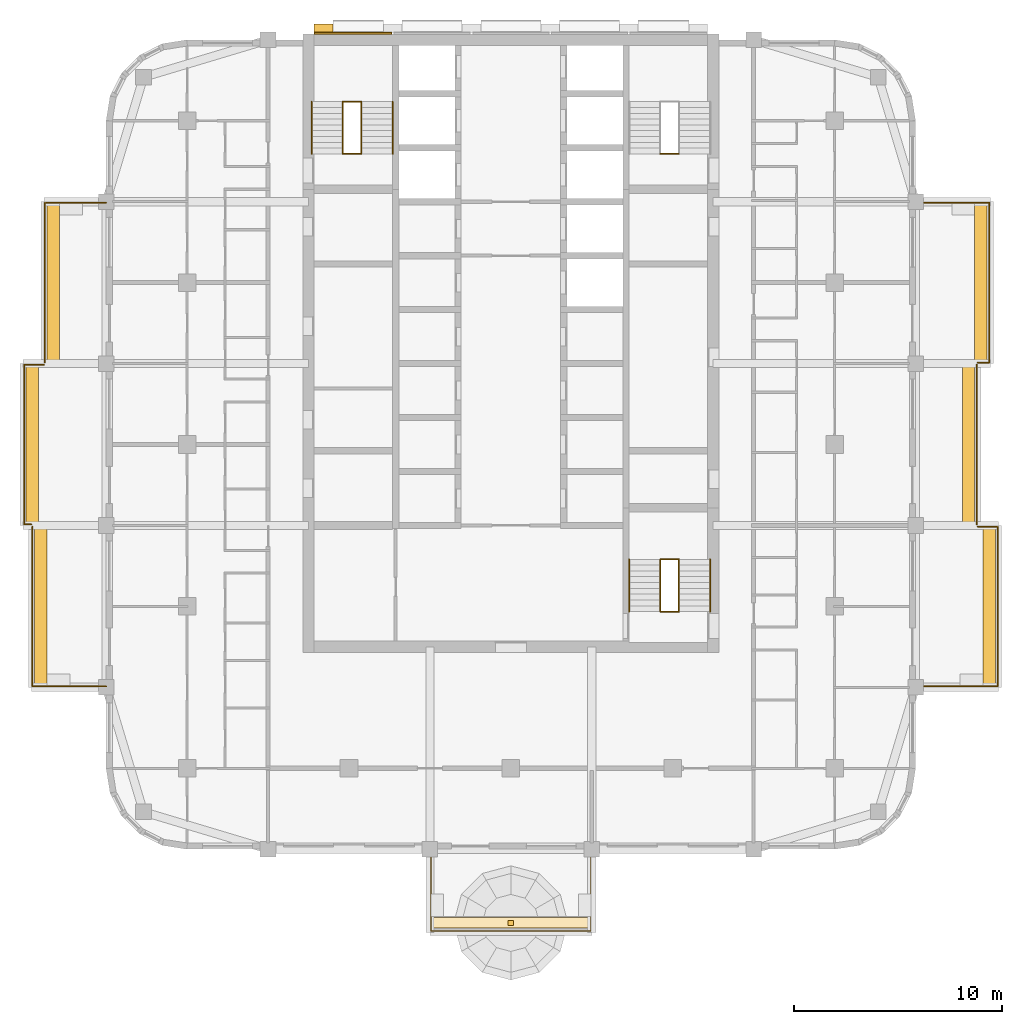
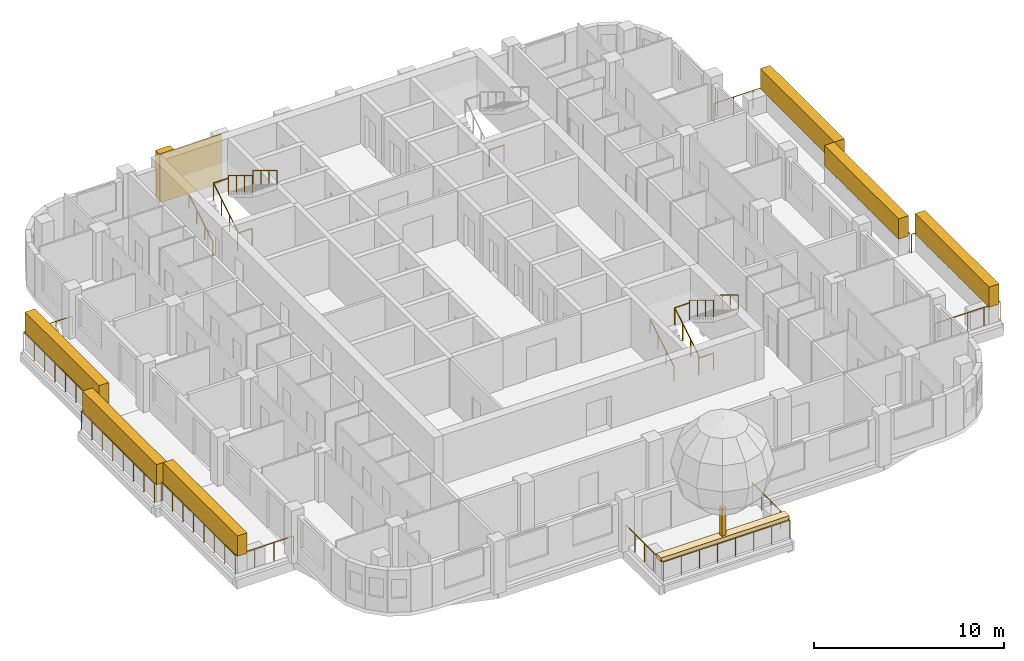
# One storey, part 12 of 14: 20 railings, 10 coverings, 3 elements without a shape of their own.
"""IFC4 building model written with IfcOpenShell, lengths in metres."""

from ifc_helpers import new_model, si_unit, direction, frame, origin, origin_2d, place, context, subcontext, project, spatial, rectangle, circle, extrude, material, layer, layer_set, type_object, element, aggregate, save


model = new_model("IFC4")

# Units and contexts
model_context = context("Model", 3, precision=1e-05, world=origin(), true_north=direction((0.0, 1.0)))
body_context = subcontext(model_context, "Body", "Model", "MODEL_VIEW")
ifc_project = project(units=[si_unit("LENGTHUNIT", "METRE"), si_unit("AREAUNIT", "SQUARE_METRE"), si_unit("VOLUMEUNIT", "CUBIC_METRE"), si_unit("PLANEANGLEUNIT", "RADIAN"), si_unit("MASSUNIT", "GRAM", prefix="KILO")], contexts=[model_context])

# Site, building, storey
site_placement = place(None, origin())
site = spatial("IfcSite", under=ifc_project, at=site_placement, CompositionType="ELEMENT")
building_placement = place(site_placement, origin())
building = spatial("IfcBuilding", under=site, at=building_placement, Name="Ludao Terraces", CompositionType="ELEMENT")
storey_placement = place(building_placement, frame((0.0, 0.0, 182.60009765625)))
storey = spatial("IfcBuildingStorey", under=building, at=storey_placement, Name="L49", CompositionType="ELEMENT", Elevation=182.60009765625)

# Railings
ifc_material_1 = material(Name="Stainless steel 304", Category="steel")
railing_type_1 = type_object("IfcRailingType", Name="ENV Balcony glass guard 1200", PredefinedType="GUARDRAIL", material=ifc_material_1)
railing_1_placement = place(storey_placement, frame((81.14990234375, 45.5, 0.0)))
element("IfcRailing", 1, at=railing_1_placement, inside=storey, type_object=railing_type_1, Name="Balcony guard L49 S1", PredefinedType="GUARDRAIL", context=body_context, shape_type="SweptSolid", body=[
    extrude(circle(Radius=0.02392578125, at=origin_2d()), frame((0.0, 0.0, 1.17578125), z_axis=(0.0, -1.0, 0.0), x_axis=(1.0, 0.0, 0.0)), (0.0, 0.0, 1.0), 3.949951171875),
    extrude(circle(Radius=0.02392578125, at=origin_2d()), frame((0.0, -3.949951171875, 1.17578125), z_axis=(1.0, 0.0, 0.0), x_axis=(0.0, 1.0, 0.0)), (0.0, 0.0, 1.0), 7.7001953125),
    extrude(circle(Radius=0.02392578125, at=origin_2d()), frame((7.7001953125, -3.949951171875, 1.17578125), z_axis=(0.0, 1.0, 0.0), x_axis=(-1.0, 0.0, 0.0)), (0.0, 0.0, 1.0), 3.949951171875),
    extrude(circle(Radius=0.02099609375, at=origin_2d()), origin(), (0.0, 0.0, 1.0), 1.15185546875),
    extrude(circle(Radius=0.02099609375, at=origin_2d()), frame((0.0, -0.987548828125, 0.0)), (0.0, 0.0, 1.0), 1.15185546875),
    extrude(circle(Radius=0.02099609375, at=origin_2d()), frame((0.0, -1.97509765625, 0.0)), (0.0, 0.0, 1.0), 1.15185546875),
    extrude(circle(Radius=0.02099609375, at=origin_2d()), frame((0.0, -2.96240234375, 0.0)), (0.0, 0.0, 1.0), 1.15185546875),
    extrude(circle(Radius=0.02099609375, at=origin_2d()), frame((0.0, -3.949951171875, 0.0)), (0.0, 0.0, 1.0), 1.15185546875),
    extrude(circle(Radius=0.02099609375, at=origin_2d()), frame((1.10009765625, -3.949951171875, 0.0)), (0.0, 0.0, 1.0), 1.15185546875),
    extrude(circle(Radius=0.02099609375, at=origin_2d()), frame((2.199951171875, -3.949951171875, 0.0)), (0.0, 0.0, 1.0), 1.15185546875),
    extrude(circle(Radius=0.02099609375, at=origin_2d()), frame((3.300048828125, -3.949951171875, 0.0)), (0.0, 0.0, 1.0), 1.15185546875),
    extrude(circle(Radius=0.02099609375, at=origin_2d()), frame((4.400146484375, -3.949951171875, 0.0)), (0.0, 0.0, 1.0), 1.15185546875),
    extrude(circle(Radius=0.02099609375, at=origin_2d()), frame((5.500244140625, -3.949951171875, 0.0)), (0.0, 0.0, 1.0), 1.15185546875),
    extrude(circle(Radius=0.02099609375, at=origin_2d()), frame((6.60009765625, -3.949951171875, 0.0)), (0.0, 0.0, 1.0), 1.15185546875),
    extrude(circle(Radius=0.02099609375, at=origin_2d()), frame((7.7001953125, -3.949951171875, 0.0)), (0.0, 0.0, 1.0), 1.15185546875),
    extrude(circle(Radius=0.02099609375, at=origin_2d()), frame((7.7001953125, -2.96240234375, 0.0)), (0.0, 0.0, 1.0), 1.15185546875),
    extrude(circle(Radius=0.02099609375, at=origin_2d()), frame((7.7001953125, -1.97509765625, 0.0)), (0.0, 0.0, 1.0), 1.15185546875),
    extrude(circle(Radius=0.02099609375, at=origin_2d()), frame((7.7001953125, -0.987548828125, 0.0)), (0.0, 0.0, 1.0), 1.15185546875),
    extrude(circle(Radius=0.02099609375, at=origin_2d()), frame((7.7001953125, 0.0, 0.0)), (0.0, 0.0, 1.0), 1.15185546875),
])
railing_2_placement = place(storey_placement, frame((104.5, 53.35009765625, 0.0)))
element("IfcRailing", 2, at=railing_2_placement, inside=storey, type_object=railing_type_1, Name="Balcony guard L49 E1", PredefinedType="GUARDRAIL", context=body_context, shape_type="SweptSolid", body=[
    extrude(circle(Radius=0.02392578125, at=origin_2d()), frame((0.0, 0.0, 1.17578125), z_axis=(1.0, 0.0, 0.0), x_axis=(0.0, 1.0, 0.0)), (0.0, 0.0, 1.0), 3.949951171875),
    extrude(circle(Radius=0.02392578125, at=origin_2d()), frame((3.949951171875, 0.0, 1.17578125), z_axis=(0.0, 1.0, 0.0), x_axis=(-1.0, 0.0, 0.0)), (0.0, 0.0, 1.0), 7.699951171875),
    extrude(circle(Radius=0.02392578125, at=origin_2d()), frame((3.949951171875, 7.699951171875, 1.17578125), z_axis=(-1.0, 0.0, 0.0), x_axis=(0.0, -1.0, 0.0)), (0.0, 0.0, 1.0), 0.949951171875),
    extrude(circle(Radius=0.02099609375, at=origin_2d()), origin(), (0.0, 0.0, 1.0), 1.15185546875),
    extrude(circle(Radius=0.02099609375, at=origin_2d()), frame((0.987548828125, 0.0, 0.0)), (0.0, 0.0, 1.0), 1.15185546875),
    extrude(circle(Radius=0.02099609375, at=origin_2d()), frame((1.97509765625, 0.0, 0.0)), (0.0, 0.0, 1.0), 1.15185546875),
    extrude(circle(Radius=0.02099609375, at=origin_2d()), frame((2.96240234375, 0.0, 0.0)), (0.0, 0.0, 1.0), 1.15185546875),
    extrude(circle(Radius=0.02099609375, at=origin_2d()), frame((3.949951171875, 0.0, 0.0)), (0.0, 0.0, 1.0), 1.15185546875),
    extrude(circle(Radius=0.02099609375, at=origin_2d()), frame((3.949951171875, 1.10009765625, 0.0)), (0.0, 0.0, 1.0), 1.15185546875),
    extrude(circle(Radius=0.02099609375, at=origin_2d()), frame((3.949951171875, 2.199951171875, 0.0)), (0.0, 0.0, 1.0), 1.15185546875),
    extrude(circle(Radius=0.02099609375, at=origin_2d()), frame((3.949951171875, 3.300048828125, 0.0)), (0.0, 0.0, 1.0), 1.15185546875),
    extrude(circle(Radius=0.02099609375, at=origin_2d()), frame((3.949951171875, 4.39990234375, 0.0)), (0.0, 0.0, 1.0), 1.15185546875),
    extrude(circle(Radius=0.02099609375, at=origin_2d()), frame((3.949951171875, 5.5, 0.0)), (0.0, 0.0, 1.0), 1.15185546875),
    extrude(circle(Radius=0.02099609375, at=origin_2d()), frame((3.949951171875, 6.599853515625, 0.0)), (0.0, 0.0, 1.0), 1.15185546875),
    extrude(circle(Radius=0.02099609375, at=origin_2d()), frame((3.949951171875, 7.699951171875, 0.0)), (0.0, 0.0, 1.0), 1.15185546875),
    extrude(circle(Radius=0.02099609375, at=origin_2d()), frame((3.0, 7.699951171875, 0.0)), (0.0, 0.0, 1.0), 1.15185546875),
])
railing_3_placement = place(storey_placement, frame((107.449951171875, 61.14990234375, 0.0)))
element("IfcRailing", 3, at=railing_3_placement, inside=storey, type_object=railing_type_1, Name="Balcony guard L49 E2", PredefinedType="GUARDRAIL", context=body_context, shape_type="SweptSolid", body=[
    extrude(circle(Radius=0.02392578125, at=origin_2d()), frame((0.0, 0.0, 1.17578125), z_axis=(0.0, 1.0, 0.0), x_axis=(-1.0, 0.0, 0.0)), (0.0, 0.0, 1.0), 7.7001953125),
    extrude(circle(Radius=0.02099609375, at=origin_2d()), origin(), (0.0, 0.0, 1.0), 1.15185546875),
    extrude(circle(Radius=0.02099609375, at=origin_2d()), frame((0.0, 1.10009765625, 0.0)), (0.0, 0.0, 1.0), 1.15185546875),
    extrude(circle(Radius=0.02099609375, at=origin_2d()), frame((0.0, 2.199951171875, 0.0)), (0.0, 0.0, 1.0), 1.15185546875),
    extrude(circle(Radius=0.02099609375, at=origin_2d()), frame((0.0, 3.300048828125, 0.0)), (0.0, 0.0, 1.0), 1.15185546875),
    extrude(circle(Radius=0.02099609375, at=origin_2d()), frame((0.0, 4.400146484375, 0.0)), (0.0, 0.0, 1.0), 1.15185546875),
    extrude(circle(Radius=0.02099609375, at=origin_2d()), frame((0.0, 5.500244140625, 0.0)), (0.0, 0.0, 1.0), 1.15185546875),
    extrude(circle(Radius=0.02099609375, at=origin_2d()), frame((0.0, 6.60009765625, 0.0)), (0.0, 0.0, 1.0), 1.15185546875),
    extrude(circle(Radius=0.02099609375, at=origin_2d()), frame((0.0, 7.7001953125, 0.0)), (0.0, 0.0, 1.0), 1.15185546875),
])
railing_4_placement = place(storey_placement, frame((107.5, 68.949951171875, 0.0)))
element("IfcRailing", 4, at=railing_4_placement, inside=storey, type_object=railing_type_1, Name="Balcony guard L49 E3", PredefinedType="GUARDRAIL", context=body_context, shape_type="SweptSolid", body=[
    extrude(circle(Radius=0.02392578125, at=origin_2d()), frame((0.0, 0.0, 1.17578125), z_axis=(1.0, 0.0, 0.0), x_axis=(0.0, 1.0, 0.0)), (0.0, 0.0, 1.0), 0.550048828125),
    extrude(circle(Radius=0.02392578125, at=origin_2d()), frame((0.550048828125, 0.0, 1.17578125), z_axis=(0.0, 1.0, 0.0), x_axis=(-1.0, 0.0, 0.0)), (0.0, 0.0, 1.0), 7.699951171875),
    extrude(circle(Radius=0.02392578125, at=origin_2d()), frame((0.550048828125, 7.699951171875, 1.17578125), z_axis=(-1.0, 0.0, 0.0), x_axis=(0.0, -1.0, 0.0)), (0.0, 0.0, 1.0), 3.550048828125),
    extrude(circle(Radius=0.02099609375, at=origin_2d()), origin(), (0.0, 0.0, 1.0), 1.15185546875),
    extrude(circle(Radius=0.02099609375, at=origin_2d()), frame((0.550048828125, 0.0, 0.0)), (0.0, 0.0, 1.0), 1.15185546875),
    extrude(circle(Radius=0.02099609375, at=origin_2d()), frame((0.550048828125, 1.10009765625, 0.0)), (0.0, 0.0, 1.0), 1.15185546875),
    extrude(circle(Radius=0.02099609375, at=origin_2d()), frame((0.550048828125, 2.199951171875, 0.0)), (0.0, 0.0, 1.0), 1.15185546875),
    extrude(circle(Radius=0.02099609375, at=origin_2d()), frame((0.550048828125, 3.300048828125, 0.0)), (0.0, 0.0, 1.0), 1.15185546875),
    extrude(circle(Radius=0.02099609375, at=origin_2d()), frame((0.550048828125, 4.39990234375, 0.0)), (0.0, 0.0, 1.0), 1.15185546875),
    extrude(circle(Radius=0.02099609375, at=origin_2d()), frame((0.550048828125, 5.5, 0.0)), (0.0, 0.0, 1.0), 1.15185546875),
    extrude(circle(Radius=0.02099609375, at=origin_2d()), frame((0.550048828125, 6.599853515625, 0.0)), (0.0, 0.0, 1.0), 1.15185546875),
    extrude(circle(Radius=0.02099609375, at=origin_2d()), frame((0.550048828125, 7.699951171875, 0.0)), (0.0, 0.0, 1.0), 1.15185546875),
    extrude(circle(Radius=0.02099609375, at=origin_2d()), frame((-0.63330078125, 7.699951171875, 0.0)), (0.0, 0.0, 1.0), 1.15185546875),
    extrude(circle(Radius=0.02099609375, at=origin_2d()), frame((-1.816650390625, 7.699951171875, 0.0)), (0.0, 0.0, 1.0), 1.15185546875),
    extrude(circle(Radius=0.02099609375, at=origin_2d()), frame((-3.0, 7.699951171875, 0.0)), (0.0, 0.0, 1.0), 1.15185546875),
])
railing_5_placement = place(storey_placement, frame((65.5, 53.35009765625, 0.0)))
element("IfcRailing", 5, at=railing_5_placement, inside=storey, type_object=railing_type_1, Name="Balcony guard L49 W1", PredefinedType="GUARDRAIL", context=body_context, shape_type="SweptSolid", body=[
    extrude(circle(Radius=0.02392578125, at=origin_2d()), frame((0.0, 0.0, 1.17578125), z_axis=(-1.0, 0.0, 0.0), x_axis=(0.0, -1.0, 0.0)), (0.0, 0.0, 1.0), 3.550048828125),
    extrude(circle(Radius=0.02392578125, at=origin_2d()), frame((-3.550048828125, 0.0, 1.17578125), z_axis=(0.0, 1.0, 0.0), x_axis=(-1.0, 0.0, 0.0)), (0.0, 0.0, 1.0), 7.699951171875),
    extrude(circle(Radius=0.02099609375, at=origin_2d()), origin(), (0.0, 0.0, 1.0), 1.15185546875),
    extrude(circle(Radius=0.02099609375, at=origin_2d()), frame((-1.183349609375, 0.0, 0.0)), (0.0, 0.0, 1.0), 1.15185546875),
    extrude(circle(Radius=0.02099609375, at=origin_2d()), frame((-2.36669921875, 0.0, 0.0)), (0.0, 0.0, 1.0), 1.15185546875),
    extrude(circle(Radius=0.02099609375, at=origin_2d()), frame((-3.550048828125, 0.0, 0.0)), (0.0, 0.0, 1.0), 1.15185546875),
    extrude(circle(Radius=0.02099609375, at=origin_2d()), frame((-3.550048828125, 1.10009765625, 0.0)), (0.0, 0.0, 1.0), 1.15185546875),
    extrude(circle(Radius=0.02099609375, at=origin_2d()), frame((-3.550048828125, 2.199951171875, 0.0)), (0.0, 0.0, 1.0), 1.15185546875),
    extrude(circle(Radius=0.02099609375, at=origin_2d()), frame((-3.550048828125, 3.300048828125, 0.0)), (0.0, 0.0, 1.0), 1.15185546875),
    extrude(circle(Radius=0.02099609375, at=origin_2d()), frame((-3.550048828125, 4.39990234375, 0.0)), (0.0, 0.0, 1.0), 1.15185546875),
    extrude(circle(Radius=0.02099609375, at=origin_2d()), frame((-3.550048828125, 5.5, 0.0)), (0.0, 0.0, 1.0), 1.15185546875),
    extrude(circle(Radius=0.02099609375, at=origin_2d()), frame((-3.550048828125, 6.599853515625, 0.0)), (0.0, 0.0, 1.0), 1.15185546875),
    extrude(circle(Radius=0.02099609375, at=origin_2d()), frame((-3.550048828125, 7.699951171875, 0.0)), (0.0, 0.0, 1.0), 1.15185546875),
])
railing_6_placement = place(storey_placement, frame((61.89990234375, 61.14990234375, 0.0)))
element("IfcRailing", 6, at=railing_6_placement, inside=storey, type_object=railing_type_1, Name="Balcony guard L49 W2", PredefinedType="GUARDRAIL", context=body_context, shape_type="SweptSolid", body=[
    extrude(circle(Radius=0.02392578125, at=origin_2d()), frame((0.0, 0.0, 1.17578125), z_axis=(-1.0, 0.0, 0.0), x_axis=(0.0, -1.0, 0.0)), (0.0, 0.0, 1.0), 0.349853515625),
    extrude(circle(Radius=0.02392578125, at=origin_2d()), frame((-0.349853515625, 0.0, 1.17578125), z_axis=(0.0, 1.0, 0.0), x_axis=(-1.0, 0.0, 0.0)), (0.0, 0.0, 1.0), 7.7001953125),
    extrude(circle(Radius=0.02392578125, at=origin_2d()), frame((-0.349853515625, 7.7001953125, 1.17578125), z_axis=(1.0, 0.0, 0.0), x_axis=(0.0, 1.0, 0.0)), (0.0, 0.0, 1.0), 0.949951171875),
    extrude(circle(Radius=0.02099609375, at=origin_2d()), origin(), (0.0, 0.0, 1.0), 1.15185546875),
    extrude(circle(Radius=0.02099609375, at=origin_2d()), frame((-0.349853515625, 0.0, 0.0)), (0.0, 0.0, 1.0), 1.15185546875),
    extrude(circle(Radius=0.02099609375, at=origin_2d()), frame((-0.349853515625, 1.10009765625, 0.0)), (0.0, 0.0, 1.0), 1.15185546875),
    extrude(circle(Radius=0.02099609375, at=origin_2d()), frame((-0.349853515625, 2.199951171875, 0.0)), (0.0, 0.0, 1.0), 1.15185546875),
    extrude(circle(Radius=0.02099609375, at=origin_2d()), frame((-0.349853515625, 3.300048828125, 0.0)), (0.0, 0.0, 1.0), 1.15185546875),
    extrude(circle(Radius=0.02099609375, at=origin_2d()), frame((-0.349853515625, 4.400146484375, 0.0)), (0.0, 0.0, 1.0), 1.15185546875),
    extrude(circle(Radius=0.02099609375, at=origin_2d()), frame((-0.349853515625, 5.500244140625, 0.0)), (0.0, 0.0, 1.0), 1.15185546875),
    extrude(circle(Radius=0.02099609375, at=origin_2d()), frame((-0.349853515625, 6.60009765625, 0.0)), (0.0, 0.0, 1.0), 1.15185546875),
    extrude(circle(Radius=0.02099609375, at=origin_2d()), frame((-0.349853515625, 7.7001953125, 0.0)), (0.0, 0.0, 1.0), 1.15185546875),
    extrude(circle(Radius=0.02099609375, at=origin_2d()), frame((0.60009765625, 7.7001953125, 0.0)), (0.0, 0.0, 1.0), 1.15185546875),
])
railing_7_placement = place(storey_placement, frame((62.550048828125, 68.949951171875, 0.0)))
element("IfcRailing", 7, at=railing_7_placement, inside=storey, type_object=railing_type_1, Name="Balcony guard L49 W3", PredefinedType="GUARDRAIL", context=body_context, shape_type="SweptSolid", body=[
    extrude(circle(Radius=0.02392578125, at=origin_2d()), frame((0.0, 0.0, 1.17578125), z_axis=(0.0, 1.0, 0.0), x_axis=(-1.0, 0.0, 0.0)), (0.0, 0.0, 1.0), 7.699951171875),
    extrude(circle(Radius=0.02392578125, at=origin_2d()), frame((0.0, 7.699951171875, 1.17578125), z_axis=(1.0, 0.0, 0.0), x_axis=(0.0, 1.0, 0.0)), (0.0, 0.0, 1.0), 2.949951171875),
    extrude(circle(Radius=0.02099609375, at=origin_2d()), origin(), (0.0, 0.0, 1.0), 1.15185546875),
    extrude(circle(Radius=0.02099609375, at=origin_2d()), frame((0.0, 1.10009765625, 0.0)), (0.0, 0.0, 1.0), 1.15185546875),
    extrude(circle(Radius=0.02099609375, at=origin_2d()), frame((0.0, 2.199951171875, 0.0)), (0.0, 0.0, 1.0), 1.15185546875),
    extrude(circle(Radius=0.02099609375, at=origin_2d()), frame((0.0, 3.300048828125, 0.0)), (0.0, 0.0, 1.0), 1.15185546875),
    extrude(circle(Radius=0.02099609375, at=origin_2d()), frame((0.0, 4.39990234375, 0.0)), (0.0, 0.0, 1.0), 1.15185546875),
    extrude(circle(Radius=0.02099609375, at=origin_2d()), frame((0.0, 5.5, 0.0)), (0.0, 0.0, 1.0), 1.15185546875),
    extrude(circle(Radius=0.02099609375, at=origin_2d()), frame((0.0, 6.599853515625, 0.0)), (0.0, 0.0, 1.0), 1.15185546875),
    extrude(circle(Radius=0.02099609375, at=origin_2d()), frame((0.0, 7.699951171875, 0.0)), (0.0, 0.0, 1.0), 1.15185546875),
    extrude(circle(Radius=0.02099609375, at=origin_2d()), frame((0.9833984375, 7.699951171875, 0.0)), (0.0, 0.0, 1.0), 1.15185546875),
    extrude(circle(Radius=0.02099609375, at=origin_2d()), frame((1.966552734375, 7.699951171875, 0.0)), (0.0, 0.0, 1.0), 1.15185546875),
    extrude(circle(Radius=0.02099609375, at=origin_2d()), frame((2.949951171875, 7.699951171875, 0.0)), (0.0, 0.0, 1.0), 1.15185546875),
])

# Coverings
ifc_material_2 = material(Name="Granite cladding", Category="masonry")
ifc_layer_1 = layer(ifc_material_2, 0.39990234375)
ifc_layer_set_1 = layer_set([ifc_layer_1], Name="ENV Core pilaster stone 400")
covering_type_1 = type_object("IfcCoveringType", Name="ENV Core pilaster stone 400", PredefinedType="CLADDING", material=ifc_layer_set_1)
covering_1_placement = place(storey_placement, frame((75.97509765625, 85.054931640625, -0.000244140625), z_axis=(0.0, 0.0, 1.0), x_axis=(1.0, 0.0, 0.0)))
element("IfcCovering", 8, at=covering_1_placement, inside=storey, type_object=covering_type_1, Name="CC-L49-PIL1", PredefinedType="CLADDING", context=body_context, shape_type="SweptSolid", body=[
    extrude(rectangle(XDim=0.89990234375, YDim=0.39990234375, at=origin_2d()), origin(), (0.0, 0.0, 1.0), 3.10009765625),
])
ifc_layer_2 = layer(ifc_material_2, 0.080078125)
ifc_layer_set_2 = layer_set([ifc_layer_2], Name="ENV Core stone cladding panel 80")
covering_type_2 = type_object("IfcCoveringType", Name="ENV Core stone cladding panel 80", PredefinedType="CLADDING", material=ifc_layer_set_2)
covering_2_placement = place(storey_placement, frame((77.39501953125, 84.81494140625, -0.000244140625), z_axis=(0.0, 0.0, 1.0), x_axis=(1.0, 0.0, 0.0)))
element("IfcCovering", 9, at=covering_2_placement, inside=storey, type_object=covering_type_2, Name="CC-L49-CORE1", PredefinedType="CLADDING", context=body_context, shape_type="SweptSolid", body=[
    extrude(rectangle(XDim=3.739990234375, YDim=0.080078125, at=origin_2d()), origin(), (0.0, 0.0, 1.0), 3.10009765625),
])
ifc_material_3 = material(Name="Planting")
ifc_layer_3 = layer(ifc_material_3, 0.5)
ifc_layer_set_3 = layer_set([ifc_layer_3], Name="ENV Planting bed 250")
covering_type_3 = type_object("IfcCoveringType", Name="ENV Planting bed 250", PredefinedType="USERDEFINED", material=ifc_layer_set_3)
covering_3_placement = place(storey_placement, frame((85.0, 41.949951171875, 1.099853515625), z_axis=(0.0, 0.0, 1.0), x_axis=(1.0, 0.0, 0.0)))
element("IfcCovering", 10, at=covering_3_placement, inside=storey, type_object=covering_type_3, Name="Planting bed L49-S1", ObjectType="PLANTING", PredefinedType="USERDEFINED", context=body_context, shape_type="SweptSolid", body=[
    extrude(rectangle(XDim=7.800048828125, YDim=0.5, at=origin_2d()), origin(), (0.0, 0.0, 1.0), 0.25),
])
ifc_layer_4 = layer(ifc_material_3, 0.60009765625)
ifc_layer_set_4 = layer_set([ifc_layer_4], Name="ENV Planting hedge 600x1300")
covering_type_4 = type_object("IfcCoveringType", Name="ENV Planting hedge 600x1300", PredefinedType="USERDEFINED", material=ifc_layer_set_4)
for number, where, z_axis, x_axis, name in (
    (11, (108.050048828125, 57.199951171875, 1.10009765625), (0.0, 0.0, 1.0), (1.0, 0.0, 0.0), "Planting hedge L49-E1"),
    (12, (107.050048828125, 65.0, 1.10009765625), (0.0, 0.0, 1.0), (1.0, 0.0, 0.0), "Planting hedge L49-E2"),
    (13, (107.64990234375, 72.800048828125, 1.10009765625), (0.0, 0.0, 1.0), (1.0, 0.0, 0.0), "Planting hedge L49-E3"),
    (14, (62.35009765625, 57.199951171875, 1.10009765625), (0.0, 0.0, 1.0), (1.0, 0.0, 0.0), "Planting hedge L49-W1"),
    (15, (61.949951171875, 65.0, 1.10009765625), (0.0, 0.0, 1.0), (1.0, 0.0, 0.0), "Planting hedge L49-W2"),
    (16, (62.949951171875, 72.800048828125, 1.10009765625), (0.0, 0.0, 1.0), (1.0, 0.0, 0.0), "Planting hedge L49-W3"),
):
    element("IfcCovering", number, at=place(storey_placement, frame(where, z_axis=z_axis, x_axis=x_axis)), inside=storey, type_object=covering_type_4, Name=name, ObjectType="PLANTING", PredefinedType="USERDEFINED", context=body_context, shape_type="SweptSolid", body=[
        extrude(rectangle(XDim=0.60009765625, YDim=7.800048828125, at=origin_2d()), origin(), (0.0, 0.0, 1.0), 1.300048828125),
    ])
ifc_material_4 = material(Name="Timber tree trunk", Category="wood")
ifc_layer_5 = layer(ifc_material_4, 0.25)
ifc_layer_set_5 = layer_set([ifc_layer_5], Name="ENV Tree trunk 250x1800")
covering_type_5 = type_object("IfcCoveringType", Name="ENV Tree trunk 250x1800", PredefinedType="USERDEFINED", material=ifc_layer_set_5)
covering_4_placement = place(storey_placement, frame((85.0, 41.949951171875, 1.35009765625), z_axis=(0.0, 0.0, 1.0), x_axis=(1.0, 0.0, 0.0)))
element("IfcCovering", 17, at=covering_4_placement, inside=storey, type_object=covering_type_5, Name="Tree trunk L49 S1", ObjectType="PLANTING", PredefinedType="USERDEFINED", context=body_context, shape_type="SweptSolid", body=[
    extrude(rectangle(XDim=0.25, YDim=0.25, at=origin_2d()), origin(), (0.0, 0.0, 1.0), 1.800048828125),
])

# Stair, railings
ifc_material_5 = material(Name="Concrete C40", Category="concrete")
stair_type = type_object("IfcStairType", Name="INT Stair", PredefinedType="HALF_TURN_STAIR", material=ifc_material_5)
stair_1_placement = place(storey_placement, origin())
stair_1 = element("IfcStair", 18, at=stair_1_placement, inside=storey, type_object=stair_type, Name="EXIT STAIR 1", PredefinedType="HALF_TURN_STAIR")
railing_type_2 = type_object("IfcRailingType", Name="INT Stair guard 1100", PredefinedType="GUARDRAIL", material=ifc_material_1)
railing_8_placement = place(storey_placement, frame((76.89990234375, 79.0, 0.169921875)))
railing_8 = element("IfcRailing", 19, at=railing_8_placement, type_object=railing_type_2, Name="ST-L49-S1-R1G", PredefinedType="GUARDRAIL", context=body_context, shape_type="SweptSolid", body=[
    extrude(circle(Radius=0.02392578125, at=origin_2d()), frame((0.0, 0.0, 1.076171875), z_axis=(0.0, 0.85478489116, 0.518982456201), x_axis=(-1.0, 0.0, 0.0)), (0.0, 0.0, 1.0), 2.9482421875),
    extrude(circle(Radius=0.02099609375, at=origin_2d()), origin(), (0.0, 0.0, 1.0), 1.052001953125),
    extrude(circle(Radius=0.02099609375, at=origin_2d()), frame((0.0, 0.840087890625, 0.510009765625)), (0.0, 0.0, 1.0), 1.052001953125),
    extrude(circle(Radius=0.02099609375, at=origin_2d()), frame((0.0, 1.679931640625, 1.02001953125)), (0.0, 0.0, 1.0), 1.052001953125),
    extrude(circle(Radius=0.02099609375, at=origin_2d()), frame((0.0, 2.52001953125, 1.530029296875)), (0.0, 0.0, 1.0), 1.052001953125),
])
railing_9_placement = place(storey_placement, frame((77.800048828125, 81.52001953125, 1.869873046875)))
railing_9 = element("IfcRailing", 20, at=railing_9_placement, type_object=railing_type_2, Name="ST-L49-S1-R2G", PredefinedType="GUARDRAIL", context=body_context, shape_type="SweptSolid", body=[
    extrude(circle(Radius=0.02392578125, at=origin_2d()), frame((0.0, 0.0, 1.076171875), z_axis=(0.0, -0.85478489116, 0.518982456201), x_axis=(1.0, 0.0, 0.0)), (0.0, 0.0, 1.0), 2.9482421875),
    extrude(circle(Radius=0.02099609375, at=origin_2d()), origin(), (0.0, 0.0, 1.0), 1.052001953125),
    extrude(circle(Radius=0.02099609375, at=origin_2d()), frame((0.0, -0.840087890625, 0.510009765625)), (0.0, 0.0, 1.0), 1.052001953125),
    extrude(circle(Radius=0.02099609375, at=origin_2d()), frame((0.0, -1.679931640625, 1.02001953125)), (0.0, 0.0, 1.0), 1.052001953125),
    extrude(circle(Radius=0.02099609375, at=origin_2d()), frame((0.0, -2.52001953125, 1.530029296875)), (0.0, 0.0, 1.0), 1.052001953125),
])
railing_10_placement = place(storey_placement, frame((76.89990234375, 81.52001953125, 1.699951171875)))
railing_10 = element("IfcRailing", 21, at=railing_10_placement, type_object=railing_type_2, Name="ST-L49-S1-E1G", PredefinedType="GUARDRAIL", context=body_context, shape_type="SweptSolid", body=[
    extrude(circle(Radius=0.02392578125, at=origin_2d()), frame((0.0, 0.0, 1.076171875), z_axis=(1.0, 0.0, 0.0), x_axis=(0.0, 1.0, 0.0)), (0.0, 0.0, 1.0), 0.900146484375),
    extrude(circle(Radius=0.02099609375, at=origin_2d()), origin(), (0.0, 0.0, 1.0), 1.052001953125),
    extrude(circle(Radius=0.02099609375, at=origin_2d()), frame((0.900146484375, 0.0, 0.0)), (0.0, 0.0, 1.0), 1.052001953125),
])
railing_11_placement = place(storey_placement, frame((76.89990234375, 79.0, 0.0)))
railing_11 = element("IfcRailing", 22, at=railing_11_placement, type_object=railing_type_2, Name="ST-L49-S1-E2G", PredefinedType="GUARDRAIL", context=body_context, shape_type="SweptSolid", body=[
    extrude(circle(Radius=0.02392578125, at=origin_2d()), frame((0.0, 0.0, 1.076171875), z_axis=(1.0, 0.0, 0.0), x_axis=(0.0, 1.0, 0.0)), (0.0, 0.0, 1.0), 0.900146484375),
    extrude(circle(Radius=0.02099609375, at=origin_2d()), origin(), (0.0, 0.0, 1.0), 1.052001953125),
    extrude(circle(Radius=0.02099609375, at=origin_2d()), frame((0.900146484375, 0.0, 0.0)), (0.0, 0.0, 1.0), 1.052001953125),
])

# Stair, railing
stair_2_placement = place(storey_placement, origin())
stair_2 = element("IfcStair", 23, at=stair_2_placement, inside=storey, type_object=stair_type, Name="EXIT STAIR 2", PredefinedType="HALF_TURN_STAIR")
railing_12_placement = place(storey_placement, frame((92.199951171875, 79.0, 0.0)))
railing_12 = element("IfcRailing", 24, at=railing_12_placement, type_object=railing_type_2, Name="ST-L49-S2-E2G", PredefinedType="GUARDRAIL", context=body_context, shape_type="SweptSolid", body=[
    extrude(circle(Radius=0.02392578125, at=origin_2d()), frame((0.0, 0.0, 1.076171875), z_axis=(1.0, 0.0, 0.0), x_axis=(0.0, 1.0, 0.0)), (0.0, 0.0, 1.0), 0.900146484375),
    extrude(circle(Radius=0.02099609375, at=origin_2d()), origin(), (0.0, 0.0, 1.0), 1.052001953125),
    extrude(circle(Radius=0.02099609375, at=origin_2d()), frame((0.900146484375, 0.0, 0.0)), (0.0, 0.0, 1.0), 1.052001953125),
])
aggregate(stair_2, [railing_12])

# Stair, railings
stair_3_placement = place(storey_placement, origin())
stair_3 = element("IfcStair", 25, at=stair_3_placement, inside=storey, type_object=stair_type, Name="EXIT STAIR 3", PredefinedType="HALF_TURN_STAIR")
railing_13_placement = place(storey_placement, frame((92.199951171875, 56.949951171875, 0.169921875)))
railing_13 = element("IfcRailing", 26, at=railing_13_placement, type_object=railing_type_2, Name="ST-L49-S3-R1G", PredefinedType="GUARDRAIL", context=body_context, shape_type="SweptSolid", body=[
    extrude(circle(Radius=0.02392578125, at=origin_2d()), frame((0.0, 0.0, 1.076171875), z_axis=(0.0, 0.85478489116, 0.518982456201), x_axis=(-1.0, 0.0, 0.0)), (0.0, 0.0, 1.0), 2.9482421875),
    extrude(circle(Radius=0.02099609375, at=origin_2d()), origin(), (0.0, 0.0, 1.0), 1.052001953125),
    extrude(circle(Radius=0.02099609375, at=origin_2d()), frame((0.0, 0.840087890625, 0.510009765625)), (0.0, 0.0, 1.0), 1.052001953125),
    extrude(circle(Radius=0.02099609375, at=origin_2d()), frame((0.0, 1.679931640625, 1.02001953125)), (0.0, 0.0, 1.0), 1.052001953125),
    extrude(circle(Radius=0.02099609375, at=origin_2d()), frame((0.0, 2.52001953125, 1.530029296875)), (0.0, 0.0, 1.0), 1.052001953125),
])
railing_14_placement = place(storey_placement, frame((93.10009765625, 59.469970703125, 1.869873046875)))
railing_14 = element("IfcRailing", 27, at=railing_14_placement, type_object=railing_type_2, Name="ST-L49-S3-R2G", PredefinedType="GUARDRAIL", context=body_context, shape_type="SweptSolid", body=[
    extrude(circle(Radius=0.02392578125, at=origin_2d()), frame((0.0, 0.0, 1.076171875), z_axis=(0.0, -0.85478489116, 0.518982456201), x_axis=(1.0, 0.0, 0.0)), (0.0, 0.0, 1.0), 2.9482421875),
    extrude(circle(Radius=0.02099609375, at=origin_2d()), origin(), (0.0, 0.0, 1.0), 1.052001953125),
    extrude(circle(Radius=0.02099609375, at=origin_2d()), frame((0.0, -0.840087890625, 0.510009765625)), (0.0, 0.0, 1.0), 1.052001953125),
    extrude(circle(Radius=0.02099609375, at=origin_2d()), frame((0.0, -1.679931640625, 1.02001953125)), (0.0, 0.0, 1.0), 1.052001953125),
    extrude(circle(Radius=0.02099609375, at=origin_2d()), frame((0.0, -2.52001953125, 1.530029296875)), (0.0, 0.0, 1.0), 1.052001953125),
])
railing_15_placement = place(storey_placement, frame((92.199951171875, 59.469970703125, 1.699951171875)))
railing_15 = element("IfcRailing", 28, at=railing_15_placement, type_object=railing_type_2, Name="ST-L49-S3-E1G", PredefinedType="GUARDRAIL", context=body_context, shape_type="SweptSolid", body=[
    extrude(circle(Radius=0.02392578125, at=origin_2d()), frame((0.0, 0.0, 1.076171875), z_axis=(1.0, 0.0, 0.0), x_axis=(0.0, 1.0, 0.0)), (0.0, 0.0, 1.0), 0.900146484375),
    extrude(circle(Radius=0.02099609375, at=origin_2d()), origin(), (0.0, 0.0, 1.0), 1.052001953125),
    extrude(circle(Radius=0.02099609375, at=origin_2d()), frame((0.900146484375, 0.0, 0.0)), (0.0, 0.0, 1.0), 1.052001953125),
])
railing_16_placement = place(storey_placement, frame((92.199951171875, 56.949951171875, 0.0)))
railing_16 = element("IfcRailing", 29, at=railing_16_placement, type_object=railing_type_2, Name="ST-L49-S3-E2G", PredefinedType="GUARDRAIL", context=body_context, shape_type="SweptSolid", body=[
    extrude(circle(Radius=0.02392578125, at=origin_2d()), frame((0.0, 0.0, 1.076171875), z_axis=(1.0, 0.0, 0.0), x_axis=(0.0, 1.0, 0.0)), (0.0, 0.0, 1.0), 0.900146484375),
    extrude(circle(Radius=0.02099609375, at=origin_2d()), origin(), (0.0, 0.0, 1.0), 1.052001953125),
    extrude(circle(Radius=0.02099609375, at=origin_2d()), frame((0.900146484375, 0.0, 0.0)), (0.0, 0.0, 1.0), 1.052001953125),
])

# Railing
railing_type_3 = type_object("IfcRailingType", Name="INT Stair handrail 900", PredefinedType="HANDRAIL", material=ifc_material_1)
railing_17_placement = place(storey_placement, frame((75.39990234375, 79.0, 0.169921875)))
railing_17 = element("IfcRailing", 30, at=railing_17_placement, type_object=railing_type_3, Name="ST-L49-S1-R1H", PredefinedType="HANDRAIL", context=body_context, shape_type="SweptSolid", body=[
    extrude(circle(Radius=0.02392578125, at=origin_2d()), frame((0.0, 0.0, 0.8759765625), z_axis=(0.0, 0.85478489116, 0.518982456201), x_axis=(-1.0, 0.0, 0.0)), (0.0, 0.0, 1.0), 2.9482421875),
    extrude(circle(Radius=0.02099609375, at=origin_2d()), origin(), (0.0, 0.0, 1.0), 0.851806640625),
    extrude(circle(Radius=0.02099609375, at=origin_2d()), frame((0.0, 0.840087890625, 0.510009765625)), (0.0, 0.0, 1.0), 0.851806640625),
    extrude(circle(Radius=0.02099609375, at=origin_2d()), frame((0.0, 1.679931640625, 1.02001953125)), (0.0, 0.0, 1.0), 0.851806640625),
    extrude(circle(Radius=0.02099609375, at=origin_2d()), frame((0.0, 2.52001953125, 1.530029296875)), (0.0, 0.0, 1.0), 0.851806640625),
])

railing_18_placement = place(storey_placement, frame((79.300048828125, 81.52001953125, 1.869873046875)))
railing_18 = element("IfcRailing", 31, at=railing_18_placement, type_object=railing_type_3, Name="ST-L49-S1-R2H", PredefinedType="HANDRAIL", context=body_context, shape_type="SweptSolid", body=[
    extrude(circle(Radius=0.02392578125, at=origin_2d()), frame((0.0, 0.0, 0.8759765625), z_axis=(0.0, -0.85478489116, 0.518982456201), x_axis=(1.0, 0.0, 0.0)), (0.0, 0.0, 1.0), 2.9482421875),
    extrude(circle(Radius=0.02099609375, at=origin_2d()), origin(), (0.0, 0.0, 1.0), 0.851806640625),
    extrude(circle(Radius=0.02099609375, at=origin_2d()), frame((0.0, -0.840087890625, 0.510009765625)), (0.0, 0.0, 1.0), 0.851806640625),
    extrude(circle(Radius=0.02099609375, at=origin_2d()), frame((0.0, -1.679931640625, 1.02001953125)), (0.0, 0.0, 1.0), 0.851806640625),
    extrude(circle(Radius=0.02099609375, at=origin_2d()), frame((0.0, -2.52001953125, 1.530029296875)), (0.0, 0.0, 1.0), 0.851806640625),
])

aggregate(stair_1, [railing_8, railing_17, railing_9, railing_18, railing_10, railing_11])

railing_19_placement = place(storey_placement, frame((90.699951171875, 56.949951171875, 0.169921875)))
railing_19 = element("IfcRailing", 32, at=railing_19_placement, type_object=railing_type_3, Name="ST-L49-S3-R1H", PredefinedType="HANDRAIL", context=body_context, shape_type="SweptSolid", body=[
    extrude(circle(Radius=0.02392578125, at=origin_2d()), frame((0.0, 0.0, 0.8759765625), z_axis=(0.0, 0.85478489116, 0.518982456201), x_axis=(-1.0, 0.0, 0.0)), (0.0, 0.0, 1.0), 2.9482421875),
    extrude(circle(Radius=0.02099609375, at=origin_2d()), origin(), (0.0, 0.0, 1.0), 0.851806640625),
    extrude(circle(Radius=0.02099609375, at=origin_2d()), frame((0.0, 0.840087890625, 0.510009765625)), (0.0, 0.0, 1.0), 0.851806640625),
    extrude(circle(Radius=0.02099609375, at=origin_2d()), frame((0.0, 1.679931640625, 1.02001953125)), (0.0, 0.0, 1.0), 0.851806640625),
    extrude(circle(Radius=0.02099609375, at=origin_2d()), frame((0.0, 2.52001953125, 1.530029296875)), (0.0, 0.0, 1.0), 0.851806640625),
])

railing_20_placement = place(storey_placement, frame((94.60009765625, 59.469970703125, 1.869873046875)))
railing_20 = element("IfcRailing", 33, at=railing_20_placement, type_object=railing_type_3, Name="ST-L49-S3-R2H", PredefinedType="HANDRAIL", context=body_context, shape_type="SweptSolid", body=[
    extrude(circle(Radius=0.02392578125, at=origin_2d()), frame((0.0, 0.0, 0.8759765625), z_axis=(0.0, -0.85478489116, 0.518982456201), x_axis=(1.0, 0.0, 0.0)), (0.0, 0.0, 1.0), 2.9482421875),
    extrude(circle(Radius=0.02099609375, at=origin_2d()), origin(), (0.0, 0.0, 1.0), 0.851806640625),
    extrude(circle(Radius=0.02099609375, at=origin_2d()), frame((0.0, -0.840087890625, 0.510009765625)), (0.0, 0.0, 1.0), 0.851806640625),
    extrude(circle(Radius=0.02099609375, at=origin_2d()), frame((0.0, -1.679931640625, 1.02001953125)), (0.0, 0.0, 1.0), 0.851806640625),
    extrude(circle(Radius=0.02099609375, at=origin_2d()), frame((0.0, -2.52001953125, 1.530029296875)), (0.0, 0.0, 1.0), 0.851806640625),
])

aggregate(stair_3, [railing_13, railing_19, railing_14, railing_20, railing_15, railing_16])

save(model, "model.ifc")
